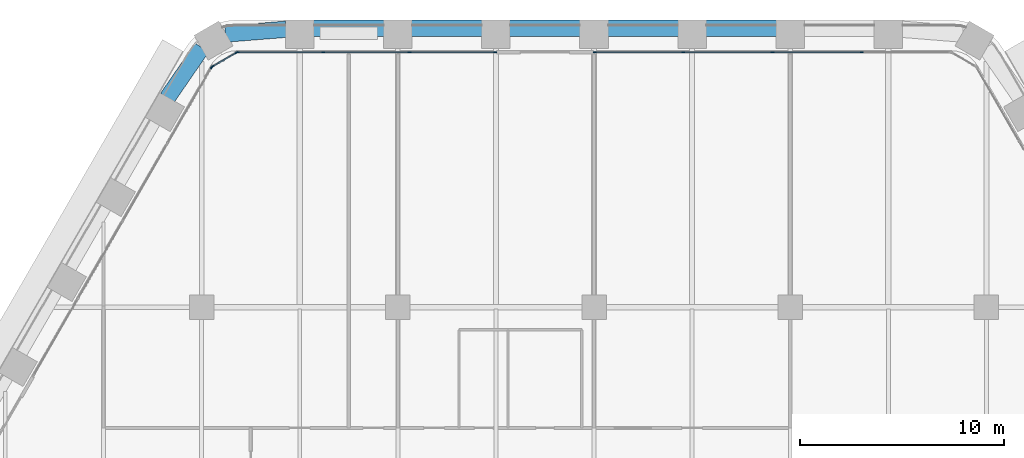
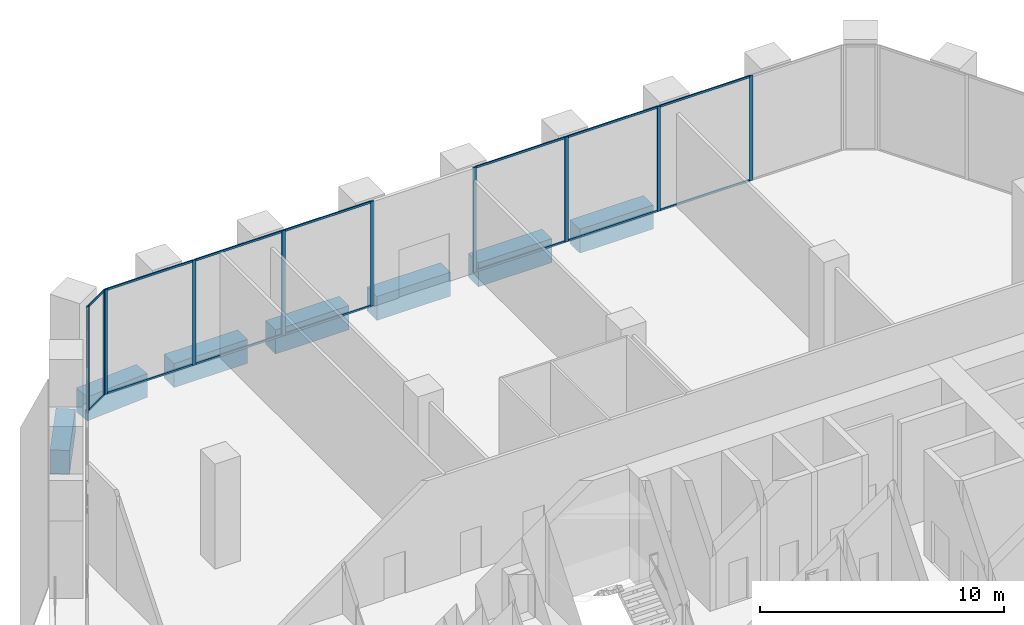
# One storey, part 13 of 27: 25 members, 7 beams, 4 elements without a shape of their own.
"""IFC4 building model written with IfcOpenShell, lengths in metres."""

from ifc_helpers import new_model, si_unit, direction, frame, origin, origin_2d, place, context, subcontext, project, spatial, rectangle, extrude, material, material_profile, profile_set, type_object, element, aggregate, save


model = new_model("IFC4")

# Units and contexts
model_context = context("Model", 3, precision=1e-05, world=origin(), true_north=direction((0.0, 1.0)))
body_context = subcontext(model_context, "Body", "Model", "MODEL_VIEW")
ifc_project = project(units=[si_unit("LENGTHUNIT", "METRE"), si_unit("AREAUNIT", "SQUARE_METRE"), si_unit("VOLUMEUNIT", "CUBIC_METRE"), si_unit("PLANEANGLEUNIT", "RADIAN"), si_unit("MASSUNIT", "GRAM", prefix="KILO")], contexts=[model_context])

# Site, building, storey
site_placement = place(None, origin())
site = spatial("IfcSite", under=ifc_project, at=site_placement, CompositionType="ELEMENT")
building_placement = place(site_placement, origin())
building = spatial("IfcBuilding", under=site, at=building_placement, Name="Kolab Exchange Tower", CompositionType="ELEMENT")
storey_placement = place(building_placement, frame((0.0, 0.0, 44.39990234375)))
storey = spatial("IfcBuildingStorey", under=building, at=storey_placement, Name="L08", CompositionType="ELEMENT", Elevation=44.39990234375)

# Beams
ifc_material_1 = material(Name="Concrete C80/95", Category="concrete")
ifc_material_profile_1 = material_profile(ifc_material_1, rectangle(XDim=0.800048828125, YDim=1.199951171875, at=origin_2d()), Name="RC800X1200")
ifc_profile_set_1 = profile_set([ifc_material_profile_1], Name="Concrete C80/95")
beam_type = type_object("IfcBeamType", Name="SPANDREL BEAM 800X1200 C80/95", PredefinedType="BEAM", material=ifc_profile_set_1)
beam_1_placement = place(storey_placement, frame((-18.03515625, 32.5654296875, -0.849853515625), z_axis=(0.996833978278, 0.07951112973, 0.0), x_axis=(-0.07951112973, 0.996833978278, 0.0)))
element("IfcBeam", 1, at=beam_1_placement, inside=storey, type_object=beam_type, Name="beam/L08/sp/F1-01", PredefinedType="BEAM", context=body_context, shape_type="SweptSolid", body=[
    extrude(rectangle(XDim=0.800048828125, YDim=1.199951171875, at=origin_2d()), origin(), (0.0, 0.0, 1.0), 2.984619140625),
])
for number, where, z_axis, x_axis, name in (
    (2, (-13.739990234375, 32.85546875, -0.849853515625), (1.0, 0.0, 0.0), (0.0, 1.0, 0.0), "beam/L08/sp/F1-02"),
    (3, (-8.93994140625, 32.85546875, -0.849853515625), (1.0, 0.0, 0.0), (0.0, 1.0, 0.0), "beam/L08/sp/F1-03"),
    (4, (-4.139892578125, 32.85546875, -0.849853515625), (1.0, 0.0, 0.0), (0.0, 1.0, 0.0), "beam/L08/sp/F1-04"),
    (5, (0.659912109375, 32.85546875, -0.849853515625), (1.0, 0.0, 0.0), (0.0, 1.0, 0.0), "beam/L08/sp/F1-05"),
    (6, (5.4599609375, 32.85546875, -0.849853515625), (1.0, 0.0, 0.0), (0.0, 1.0, 0.0), "beam/L08/sp/F1-06"),
):
    element("IfcBeam", number, at=place(storey_placement, frame(where, z_axis=z_axis, x_axis=x_axis)), inside=storey, type_object=beam_type, Name=name, PredefinedType="BEAM", context=body_context, shape_type="SweptSolid", body=[
        extrude(rectangle(XDim=0.800048828125, YDim=1.199951171875, at=origin_2d()), origin(), (0.0, 0.0, 1.0), 3.47998046875),
    ])
beam_2_placement = place(storey_placement, frame((-20.8779296875, 29.44384765625, -0.849853515625), z_axis=(0.567247290755, 0.823547516013, 0.0), x_axis=(-0.823547516013, 0.567247290755, 0.0)))
element("IfcBeam", 7, at=beam_2_placement, inside=storey, type_object=beam_type, Name="beam/L08/sp/F6-08", PredefinedType="BEAM", context=body_context, shape_type="SweptSolid", body=[
    extrude(rectangle(XDim=0.800048828125, YDim=1.199951171875, at=origin_2d()), origin(), (0.0, 0.0, 1.0), 2.984375),
])

# Curtain wall, members
ifc_material_2 = material(Name="Aluminium EN AW-6063 T6", Category="aluminium")
curtain_wall_type = type_object("IfcCurtainWallType", Name="UNITISED LOW ZONE CURTAIN WALL", PredefinedType="NOTDEFINED", material=ifc_material_2)
curtain_wall_1_placement = place(storey_placement, origin())
curtain_wall_1 = element("IfcCurtainWall", 8, at=curtain_wall_1_placement, inside=storey, type_object=curtain_wall_type, Name="cw/L08/F1-1", PredefinedType="NOTDEFINED")
ifc_material_profile_2 = material_profile(ifc_material_2, rectangle(XDim=0.06005859375, YDim=0.159912109375, at=origin_2d()), Name="RECT 60X160")
ifc_profile_set_2 = profile_set([ifc_material_profile_2], Name="Aluminium EN AW-6063 T6")
member_type_1 = type_object("IfcMemberType", Name="UNITISED LOW ZONE MULLION 60 X 160", PredefinedType="MULLION", material=ifc_profile_set_2)
member_1_placement = place(storey_placement, frame((-17.43798828125, 31.67529296875, 0.0), z_axis=(0.0, 0.0, 1.0), x_axis=(0.0, 1.0, 0.0)))
member_1 = element("IfcMember", 9, at=member_1_placement, type_object=member_type_1, Name="CW1 mullion 1", PredefinedType="MULLION", context=body_context, shape_type="SweptSolid", body=[
    extrude(rectangle(XDim=0.06005859375, YDim=0.159912109375, at=origin_2d()), origin(), (0.0, 0.0, 1.0), 5.25),
])
member_2_placement = place(storey_placement, frame((-13.245361328125, 31.67529296875, 0.0), z_axis=(0.0, 0.0, 1.0), x_axis=(0.0, 1.0, 0.0)))
member_2 = element("IfcMember", 10, at=member_2_placement, type_object=member_type_1, Name="CW1 mullion 2", PredefinedType="MULLION", context=body_context, shape_type="SweptSolid", body=[
    extrude(rectangle(XDim=0.06005859375, YDim=0.159912109375, at=origin_2d()), origin(), (0.0, 0.0, 1.0), 5.25),
])
member_3_placement = place(storey_placement, frame((-9.022705078125, 31.67529296875, 0.0), z_axis=(0.0, 0.0, 1.0), x_axis=(0.0, 1.0, 0.0)))
member_3 = element("IfcMember", 11, at=member_3_placement, type_object=member_type_1, Name="CW1 mullion 3", PredefinedType="MULLION", context=body_context, shape_type="SweptSolid", body=[
    extrude(rectangle(XDim=0.06005859375, YDim=0.159912109375, at=origin_2d()), origin(), (0.0, 0.0, 1.0), 5.25),
])
member_4_placement = place(storey_placement, frame((-4.830078125, 31.67529296875, 0.0), z_axis=(0.0, 0.0, 1.0), x_axis=(0.0, 1.0, 0.0)))
member_4 = element("IfcMember", 12, at=member_4_placement, type_object=member_type_1, Name="CW1 mullion 4", PredefinedType="MULLION", context=body_context, shape_type="SweptSolid", body=[
    extrude(rectangle(XDim=0.06005859375, YDim=0.159912109375, at=origin_2d()), origin(), (0.0, 0.0, 1.0), 5.25),
])

curtain_wall_2_placement = place(storey_placement, origin())
curtain_wall_2 = element("IfcCurtainWall", 13, at=curtain_wall_2_placement, inside=storey, type_object=curtain_wall_type, Name="cw/L08/F1-2", PredefinedType="NOTDEFINED")
member_5_placement = place(storey_placement, frame((0.030029296875, 31.67529296875, 0.0), z_axis=(0.0, 0.0, 1.0), x_axis=(0.0, 1.0, 0.0)))
member_5 = element("IfcMember", 14, at=member_5_placement, type_object=member_type_1, Name="CW1 mullion 1", PredefinedType="MULLION", context=body_context, shape_type="SweptSolid", body=[
    extrude(rectangle(XDim=0.06005859375, YDim=0.159912109375, at=origin_2d()), origin(), (0.0, 0.0, 1.0), 5.25),
])
member_6_placement = place(storey_placement, frame((4.366943359375, 31.67529296875, 0.0), z_axis=(0.0, 0.0, 1.0), x_axis=(0.0, 1.0, 0.0)))
member_6 = element("IfcMember", 15, at=member_6_placement, type_object=member_type_1, Name="CW1 mullion 2", PredefinedType="MULLION", context=body_context, shape_type="SweptSolid", body=[
    extrude(rectangle(XDim=0.06005859375, YDim=0.159912109375, at=origin_2d()), origin(), (0.0, 0.0, 1.0), 5.25),
])
member_7_placement = place(storey_placement, frame((8.73388671875, 31.67529296875, 0.0), z_axis=(0.0, 0.0, 1.0), x_axis=(0.0, 1.0, 0.0)))
member_7 = element("IfcMember", 16, at=member_7_placement, type_object=member_type_1, Name="CW1 mullion 3", PredefinedType="MULLION", context=body_context, shape_type="SweptSolid", body=[
    extrude(rectangle(XDim=0.06005859375, YDim=0.159912109375, at=origin_2d()), origin(), (0.0, 0.0, 1.0), 5.25),
])
member_8_placement = place(storey_placement, frame((13.10107421875, 31.67529296875, 0.0), z_axis=(0.0, 0.0, 1.0), x_axis=(0.0, 1.0, 0.0)))
member_8 = element("IfcMember", 17, at=member_8_placement, type_object=member_type_1, Name="CW1 mullion 4", PredefinedType="MULLION", context=body_context, shape_type="SweptSolid", body=[
    extrude(rectangle(XDim=0.06005859375, YDim=0.159912109375, at=origin_2d()), origin(), (0.0, 0.0, 1.0), 5.25),
])

# Curtain wall, member
curtain_wall_3_placement = place(storey_placement, origin())
curtain_wall_3 = element("IfcCurtainWall", 18, at=curtain_wall_3_placement, inside=storey, type_object=curtain_wall_type, Name="cw/L08/F6-2", PredefinedType="NOTDEFINED")
member_9_placement = place(storey_placement, frame((-18.712646484375, 30.939453125, 0.0), z_axis=(0.0, 0.0, 1.0), x_axis=(-0.866025397318, 0.5000000112, 0.0)))
member_9 = element("IfcMember", 19, at=member_9_placement, type_object=member_type_1, Name="CW1 mullion 5", PredefinedType="MULLION", context=body_context, shape_type="SweptSolid", body=[
    extrude(rectangle(XDim=0.06005859375, YDim=0.159912109375, at=origin_2d()), origin(), (0.0, 0.0, 1.0), 5.25),
])
aggregate(curtain_wall_3, [member_9])

# Curtain wall, members
curtain_wall_4_placement = place(storey_placement, origin())
curtain_wall_4 = element("IfcCurtainWall", 20, at=curtain_wall_4_placement, inside=storey, type_object=curtain_wall_type, Name="cw/L08/F6F1-corner", PredefinedType="NOTDEFINED")
member_10_placement = place(storey_placement, frame((-18.671630859375, 30.98046875, 0.0), z_axis=(0.0, 0.0, 1.0), x_axis=(-0.50000002237, 0.866025390869, 0.0)))
member_10 = element("IfcMember", 21, at=member_10_placement, type_object=member_type_1, Name="CW1 mullion 1", PredefinedType="MULLION", context=body_context, shape_type="SweptSolid", body=[
    extrude(rectangle(XDim=0.06005859375, YDim=0.159912109375, at=origin_2d()), origin(), (0.0, 0.0, 1.0), 5.25),
])
member_11_placement = place(storey_placement, frame((-17.493896484375, 31.660400390625, 0.0), z_axis=(0.0, 0.0, 1.0), x_axis=(-0.50000002237, 0.866025390869, 0.0)))
member_11 = element("IfcMember", 22, at=member_11_placement, type_object=member_type_1, Name="CW1 mullion 2", PredefinedType="MULLION", context=body_context, shape_type="SweptSolid", body=[
    extrude(rectangle(XDim=0.06005859375, YDim=0.159912109375, at=origin_2d()), origin(), (0.0, 0.0, 1.0), 5.25),
])

# Member
ifc_material_profile_3 = material_profile(ifc_material_2, rectangle(XDim=0.06005859375, YDim=0.10009765625, at=origin_2d()), Name="RECT 60X100")
ifc_profile_set_3 = profile_set([ifc_material_profile_3], Name="Aluminium EN AW-6063 T6")
member_type_2 = type_object("IfcMemberType", Name="UNITISED LOW ZONE TRANSOM 60 X 100", PredefinedType="USERDEFINED", material=ifc_profile_set_3)
member_12_placement = place(storey_placement, frame((-17.407958984375, 31.67529296875, 0.030029296875), z_axis=(1.0, 0.0, 0.0), x_axis=(0.0, 1.0, 0.0)))
member_12 = element("IfcMember", 23, at=member_12_placement, type_object=member_type_2, Name="CW1 transom 1.1", ObjectType="TRANSOM", PredefinedType="USERDEFINED", context=body_context, shape_type="SweptSolid", body=[
    extrude(rectangle(XDim=0.06005859375, YDim=0.10009765625, at=origin_2d()), origin(), (0.0, 0.0, 1.0), 4.132568359375),
])

member_13_placement = place(storey_placement, frame((-17.407958984375, 31.67529296875, 5.22021484375), z_axis=(1.0, 0.0, 0.0), x_axis=(0.0, 1.0, 0.0)))
member_13 = element("IfcMember", 24, at=member_13_placement, type_object=member_type_2, Name="CW1 transom 1.2", ObjectType="TRANSOM", PredefinedType="USERDEFINED", context=body_context, shape_type="SweptSolid", body=[
    extrude(rectangle(XDim=0.06005859375, YDim=0.10009765625, at=origin_2d()), origin(), (0.0, 0.0, 1.0), 4.132568359375),
])

member_14_placement = place(storey_placement, frame((-13.21533203125, 31.67529296875, 0.030029296875), z_axis=(1.0, 0.0, 0.0), x_axis=(0.0, 1.0, 0.0)))
member_14 = element("IfcMember", 25, at=member_14_placement, type_object=member_type_2, Name="CW1 transom 2.1", ObjectType="TRANSOM", PredefinedType="USERDEFINED", context=body_context, shape_type="SweptSolid", body=[
    extrude(rectangle(XDim=0.06005859375, YDim=0.10009765625, at=origin_2d()), origin(), (0.0, 0.0, 1.0), 4.16259765625),
])

member_15_placement = place(storey_placement, frame((-13.21533203125, 31.67529296875, 5.22021484375), z_axis=(1.0, 0.0, 0.0), x_axis=(0.0, 1.0, 0.0)))
member_15 = element("IfcMember", 26, at=member_15_placement, type_object=member_type_2, Name="CW1 transom 2.2", ObjectType="TRANSOM", PredefinedType="USERDEFINED", context=body_context, shape_type="SweptSolid", body=[
    extrude(rectangle(XDim=0.06005859375, YDim=0.10009765625, at=origin_2d()), origin(), (0.0, 0.0, 1.0), 4.16259765625),
])

member_16_placement = place(storey_placement, frame((-8.99267578125, 31.67529296875, 0.030029296875), z_axis=(1.0, 0.0, 0.0), x_axis=(0.0, 1.0, 0.0)))
member_16 = element("IfcMember", 27, at=member_16_placement, type_object=member_type_2, Name="CW1 transom 3.1", ObjectType="TRANSOM", PredefinedType="USERDEFINED", context=body_context, shape_type="SweptSolid", body=[
    extrude(rectangle(XDim=0.06005859375, YDim=0.10009765625, at=origin_2d()), origin(), (0.0, 0.0, 1.0), 4.132568359375),
])

member_17_placement = place(storey_placement, frame((-8.99267578125, 31.67529296875, 5.22021484375), z_axis=(1.0, 0.0, 0.0), x_axis=(0.0, 1.0, 0.0)))
member_17 = element("IfcMember", 28, at=member_17_placement, type_object=member_type_2, Name="CW1 transom 3.2", ObjectType="TRANSOM", PredefinedType="USERDEFINED", context=body_context, shape_type="SweptSolid", body=[
    extrude(rectangle(XDim=0.06005859375, YDim=0.10009765625, at=origin_2d()), origin(), (0.0, 0.0, 1.0), 4.132568359375),
])

aggregate(curtain_wall_1, [member_1, member_2, member_3, member_4, member_12, member_13, member_14, member_15, member_16, member_17])

member_18_placement = place(storey_placement, frame((0.06005859375, 31.67529296875, 0.030029296875), z_axis=(1.0, 0.0, 0.0), x_axis=(0.0, 1.0, 0.0)))
member_18 = element("IfcMember", 29, at=member_18_placement, type_object=member_type_2, Name="CW1 transom 1.1", ObjectType="TRANSOM", PredefinedType="USERDEFINED", context=body_context, shape_type="SweptSolid", body=[
    extrude(rectangle(XDim=0.06005859375, YDim=0.10009765625, at=origin_2d()), origin(), (0.0, 0.0, 1.0), 4.27685546875),
])

member_19_placement = place(storey_placement, frame((0.06005859375, 31.67529296875, 5.22021484375), z_axis=(1.0, 0.0, 0.0), x_axis=(0.0, 1.0, 0.0)))
member_19 = element("IfcMember", 30, at=member_19_placement, type_object=member_type_2, Name="CW1 transom 1.2", ObjectType="TRANSOM", PredefinedType="USERDEFINED", context=body_context, shape_type="SweptSolid", body=[
    extrude(rectangle(XDim=0.06005859375, YDim=0.10009765625, at=origin_2d()), origin(), (0.0, 0.0, 1.0), 4.27685546875),
])

member_20_placement = place(storey_placement, frame((4.39697265625, 31.67529296875, 0.030029296875), z_axis=(1.0, 0.0, 0.0), x_axis=(0.0, 1.0, 0.0)))
member_20 = element("IfcMember", 31, at=member_20_placement, type_object=member_type_2, Name="CW1 transom 2.1", ObjectType="TRANSOM", PredefinedType="USERDEFINED", context=body_context, shape_type="SweptSolid", body=[
    extrude(rectangle(XDim=0.06005859375, YDim=0.10009765625, at=origin_2d()), origin(), (0.0, 0.0, 1.0), 4.306884765625),
])

member_21_placement = place(storey_placement, frame((4.39697265625, 31.67529296875, 5.22021484375), z_axis=(1.0, 0.0, 0.0), x_axis=(0.0, 1.0, 0.0)))
member_21 = element("IfcMember", 32, at=member_21_placement, type_object=member_type_2, Name="CW1 transom 2.2", ObjectType="TRANSOM", PredefinedType="USERDEFINED", context=body_context, shape_type="SweptSolid", body=[
    extrude(rectangle(XDim=0.06005859375, YDim=0.10009765625, at=origin_2d()), origin(), (0.0, 0.0, 1.0), 4.306884765625),
])

member_22_placement = place(storey_placement, frame((8.763916015625, 31.67529296875, 0.030029296875), z_axis=(1.0, 0.0, 0.0), x_axis=(0.0, 1.0, 0.0)))
member_22 = element("IfcMember", 33, at=member_22_placement, type_object=member_type_2, Name="CW1 transom 3.1", ObjectType="TRANSOM", PredefinedType="USERDEFINED", context=body_context, shape_type="SweptSolid", body=[
    extrude(rectangle(XDim=0.06005859375, YDim=0.10009765625, at=origin_2d()), origin(), (0.0, 0.0, 1.0), 4.30712890625),
])

member_23_placement = place(storey_placement, frame((8.763916015625, 31.67529296875, 5.22021484375), z_axis=(1.0, 0.0, 0.0), x_axis=(0.0, 1.0, 0.0)))
member_23 = element("IfcMember", 34, at=member_23_placement, type_object=member_type_2, Name="CW1 transom 3.2", ObjectType="TRANSOM", PredefinedType="USERDEFINED", context=body_context, shape_type="SweptSolid", body=[
    extrude(rectangle(XDim=0.06005859375, YDim=0.10009765625, at=origin_2d()), origin(), (0.0, 0.0, 1.0), 4.30712890625),
])

aggregate(curtain_wall_2, [member_5, member_6, member_7, member_8, member_18, member_19, member_20, member_21, member_22, member_23])

member_24_placement = place(storey_placement, frame((-18.645751953125, 30.995361328125, 0.030029296875), z_axis=(0.86603858612, 0.49997716683, 0.0), x_axis=(-0.49997716683, 0.86603858612, 0.0)))
member_24 = element("IfcMember", 35, at=member_24_placement, type_object=member_type_2, Name="CW1 transom 1.1", ObjectType="TRANSOM", PredefinedType="USERDEFINED", context=body_context, shape_type="SweptSolid", body=[
    extrude(rectangle(XDim=0.06005859375, YDim=0.10009765625, at=origin_2d()), origin(), (0.0, 0.0, 1.0), 1.2998046875),
])

member_25_placement = place(storey_placement, frame((-18.645751953125, 30.995361328125, 5.22021484375), z_axis=(0.86603858612, 0.49997716683, 0.0), x_axis=(-0.49997716683, 0.86603858612, 0.0)))
member_25 = element("IfcMember", 36, at=member_25_placement, type_object=member_type_2, Name="CW1 transom 1.2", ObjectType="TRANSOM", PredefinedType="USERDEFINED", context=body_context, shape_type="SweptSolid", body=[
    extrude(rectangle(XDim=0.06005859375, YDim=0.10009765625, at=origin_2d()), origin(), (0.0, 0.0, 1.0), 1.2998046875),
])

aggregate(curtain_wall_4, [member_10, member_11, member_24, member_25])

save(model, "model.ifc")
